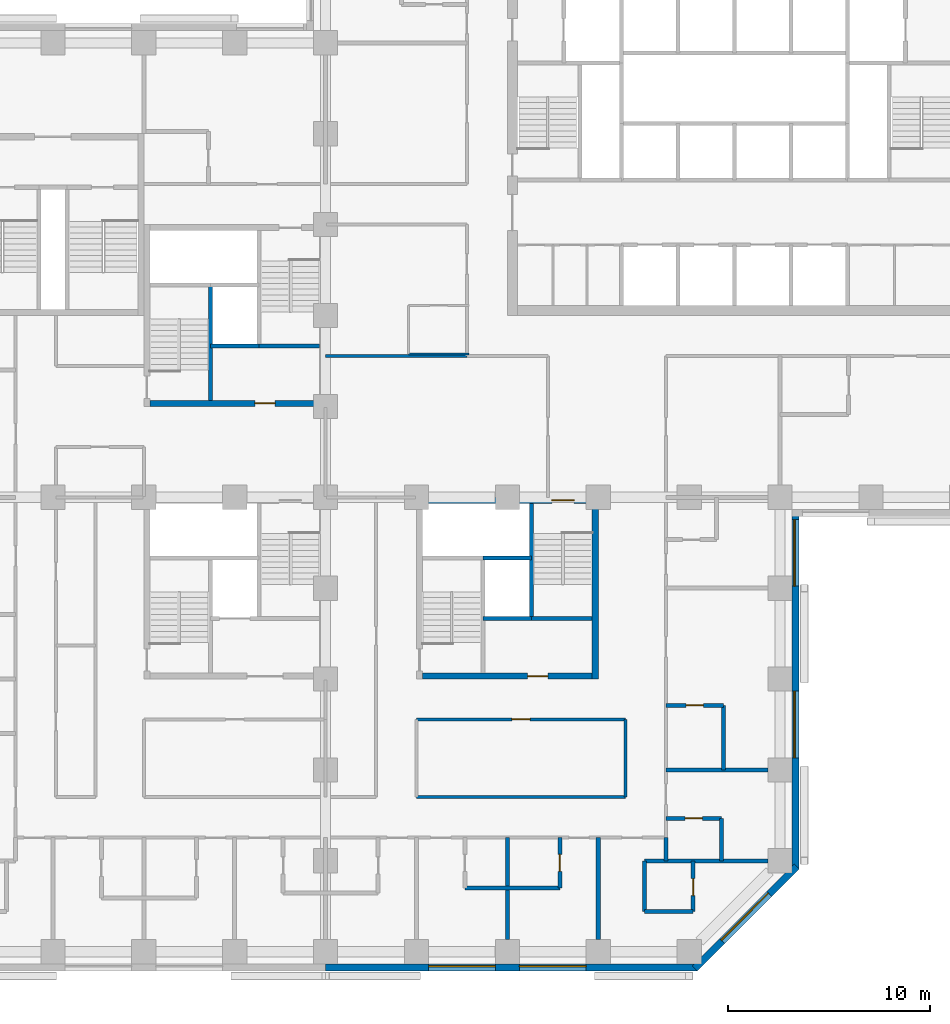
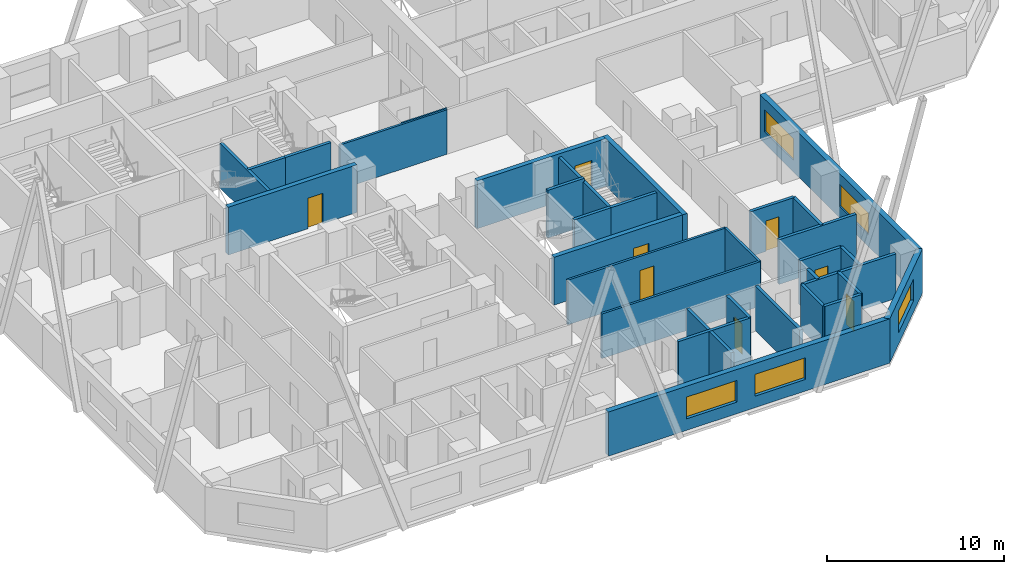
# One storey, part 5 of 13: 33 walls, 8 doors, 5 windows, 13 openings.
"""IFC4 building model written with IfcOpenShell, lengths in metres."""

from ifc_helpers import new_model, si_unit, direction, frame, frame_2d, origin, place, context, subcontext, project, spatial, rectangle, extrude, material, layer, layer_set, constituent, constituent_set, type_object, element, fill, save


model = new_model("IFC4")

# Units and contexts
model_context = context("Model", 3, precision=1e-05, world=origin(), true_north=direction((0.0, 1.0)))
body_context = subcontext(model_context, "Body", "Model", "MODEL_VIEW")
ifc_project = project(units=[si_unit("LENGTHUNIT", "METRE"), si_unit("AREAUNIT", "SQUARE_METRE"), si_unit("VOLUMEUNIT", "CUBIC_METRE"), si_unit("PLANEANGLEUNIT", "RADIAN"), si_unit("MASSUNIT", "GRAM", prefix="KILO")], contexts=[model_context])

# Site, building, storey
site_placement = place(None, origin())
site = spatial("IfcSite", under=ifc_project, at=site_placement, CompositionType="ELEMENT")
building_placement = place(site_placement, origin())
building = spatial("IfcBuilding", under=site, at=building_placement, Name="Quoin Convention Tower", CompositionType="ELEMENT")
storey_placement = place(building_placement, frame((0.0, 0.0, 52.800048828125)))
storey = spatial("IfcBuildingStorey", under=building, at=storey_placement, Name="L13", CompositionType="ELEMENT", Elevation=52.800048828125)

# Wall, openings, windows
ifc_material_1 = material(Name="Brick masonry", Category="masonry")
ifc_layer_1 = layer(ifc_material_1, 0.35009765625)
ifc_layer_set_1 = layer_set([ifc_layer_1], Name="Brick masonry")
wall_type_1 = type_object("IfcWallType", Name="Brick facade wall", PredefinedType="STANDARD", material=ifc_layer_set_1)
wall_1_placement = place(storey_placement, frame((36.0, 17.22509765625, 0.0), z_axis=(0.0, 0.0, 1.0), x_axis=(1.0, 0.0, 0.0)))
wall_1 = element("IfcWall", 1, at=wall_1_placement, inside=storey, type_object=wall_type_1, Name="fw-L13-36000_18000", PredefinedType="STANDARD", context=body_context, shape_type="SweptSolid", body=[
    extrude(rectangle(XDim=18.3935546875, YDim=0.35009765625, at=frame_2d((9.19677734375, 0.0))), origin(), (0.0, 0.0, 1.0), 3.054931640625),
])
opening_1_placement = place(wall_1_placement, frame((5.10009765625, 0.0, 0.800048828125)))
opening_1 = element("IfcOpeningElement", 2, at=opening_1_placement, cuts=wall_1, Name="Opening W-01", PredefinedType="OPENING", context=body_context, shape_type="SweptSolid", body=[
    extrude(rectangle(XDim=3.300048828125, YDim=1.5, at=frame_2d((1.64990234375, 0.75))), frame((0.0, 0.18505859375, 0.0), z_axis=(0.0, -1.0, 0.0), x_axis=(1.0, 0.0, 0.0)), (0.0, 0.0, 1.0), 0.3701171875),
])
opening_2_placement = place(wall_1_placement, frame((9.60009765625, 0.0, 0.800048828125)))
opening_2 = element("IfcOpeningElement", 3, at=opening_2_placement, cuts=wall_1, Name="Opening W-01", PredefinedType="OPENING", context=body_context, shape_type="SweptSolid", body=[
    extrude(rectangle(XDim=3.300048828125, YDim=1.5, at=frame_2d((1.64990234375, 0.75))), frame((0.0, 0.18505859375, 0.0), z_axis=(0.0, -1.0, 0.0), x_axis=(1.0, 0.0, 0.0)), (0.0, 0.0, 1.0), 0.3701171875),
])
ifc_material_2 = material(Name="Aluminium", Category="aluminium")
ifc_constituent_1 = constituent(ifc_material_2, Name="Frame")
ifc_material_3 = material(Name="Insulated glass", Category="glass")
ifc_constituent_2 = constituent(ifc_material_3, Name="Glazing")
ifc_constituent_set = constituent_set(constituents=[ifc_constituent_1, ifc_constituent_2], Name="Aluminium")
window_type = type_object("IfcWindowType", Name="Hotel strip window", PartitioningType="DOUBLE_PANEL_VERTICAL", PredefinedType="WINDOW", material=ifc_constituent_set)
window_1_placement = place(opening_1_placement, origin())
window_1 = element("IfcWindow", 4, at=window_1_placement, inside=storey, type_object=window_type, Name="win-L13-42750_17225", OverallHeight=1.5, OverallWidth=3.300048828125, PartitioningType="SINGLE_PANEL", PredefinedType="WINDOW", context=body_context, shape_type="SweptSolid", body=[
    extrude(rectangle(XDim=3.300048828125, YDim=1.5, at=frame_2d((1.64990234375, 0.75))), frame((0.0, 0.0849609375, 0.0), z_axis=(0.0, -1.0, 0.0), x_axis=(1.0, 0.0, 0.0)), (0.0, 0.0, 1.0), 0.06005859375),
])
fill(opening_1, window_1)
window_2_placement = place(opening_2_placement, origin())
window_2 = element("IfcWindow", 5, at=window_2_placement, inside=storey, type_object=window_type, Name="win-L13-47250_17225", OverallHeight=1.5, OverallWidth=3.300048828125, PartitioningType="SINGLE_PANEL", PredefinedType="WINDOW", context=body_context, shape_type="SweptSolid", body=[
    extrude(rectangle(XDim=3.300048828125, YDim=1.5, at=frame_2d((1.64990234375, 0.75))), frame((0.0, 0.0849609375, 0.0), z_axis=(0.0, -1.0, 0.0), x_axis=(1.0, 0.0, 0.0)), (0.0, 0.0, 1.0), 0.06005859375),
])
fill(opening_2, window_2)

# Wall, opening, window
wall_2_placement = place(storey_placement, frame((54.269775390625, 17.173583984375, 0.0), z_axis=(0.0, 0.0, 1.0), x_axis=(0.707106781187, 0.707106781187, 0.0)))
wall_2 = element("IfcWall", 6, at=wall_2_placement, inside=storey, type_object=wall_type_1, Name="fw-L13-54000_18000", PredefinedType="STANDARD", context=body_context, shape_type="SweptSolid", body=[
    extrude(rectangle(XDim=7.151123046875, YDim=0.35009765625, at=frame_2d((3.57568359375, 0.0))), origin(), (0.0, 0.0, 1.0), 3.054931640625),
])
opening_3_placement = place(wall_2_placement, frame((1.925537109375, 0.0, 0.800048828125)))
opening_3 = element("IfcOpeningElement", 7, at=opening_3_placement, cuts=wall_2, Name="Opening W-01", PredefinedType="OPENING", context=body_context, shape_type="SweptSolid", body=[
    extrude(rectangle(XDim=3.300048828125, YDim=1.5, at=frame_2d((1.64990234375, 0.75))), frame((0.0, 0.18505859375, 0.0), z_axis=(0.0, -1.0, 0.0), x_axis=(1.0, 0.0, 0.0)), (0.0, 0.0, 1.0), 0.3701171875),
])
window_3_placement = place(opening_3_placement, origin())
window_3 = element("IfcWindow", 8, at=window_3_placement, inside=storey, type_object=window_type, Name="win-L13-56798_19702", OverallHeight=1.5, OverallWidth=3.300048828125, PartitioningType="SINGLE_PANEL", PredefinedType="WINDOW", context=body_context, shape_type="SweptSolid", body=[
    extrude(rectangle(XDim=3.300048828125, YDim=1.5, at=frame_2d((1.64990234375, 0.75))), frame((0.0, 0.0849609375, 0.0), z_axis=(0.0, -1.0, 0.0), x_axis=(1.0, 0.0, 0.0)), (0.0, 0.0, 1.0), 0.06005859375),
])
fill(opening_3, window_3)

# Wall, openings, windows
wall_3_placement = place(storey_placement, frame((59.27490234375, 22.1064453125, 0.0), z_axis=(0.0, 0.0, 1.0), x_axis=(0.0, 1.0, 0.0)))
wall_3 = element("IfcWall", 9, at=wall_3_placement, inside=storey, type_object=wall_type_1, Name="fw-L13-58500_22500", PredefinedType="STANDARD", context=body_context, shape_type="SweptSolid", body=[
    extrude(rectangle(XDim=17.79345703125, YDim=0.35009765625, at=frame_2d((8.896728515625, 0.0))), origin(), (0.0, 0.0, 1.0), 3.054931640625),
])
opening_4_placement = place(wall_3_placement, frame((5.493408203125, 0.0, 0.800048828125)))
opening_4 = element("IfcOpeningElement", 10, at=opening_4_placement, cuts=wall_3, Name="Opening W-01", PredefinedType="OPENING", context=body_context, shape_type="SweptSolid", body=[
    extrude(rectangle(XDim=3.300048828125, YDim=1.5, at=frame_2d((1.64990234375, 0.75))), frame((0.0, 0.18505859375, 0.0), z_axis=(0.0, -1.0, 0.0), x_axis=(1.0, 0.0, 0.0)), (0.0, 0.0, 1.0), 0.3701171875),
])
opening_5_placement = place(wall_3_placement, frame((13.993408203125, 0.0, 0.800048828125)))
opening_5 = element("IfcOpeningElement", 11, at=opening_5_placement, cuts=wall_3, Name="Opening W-01", PredefinedType="OPENING", context=body_context, shape_type="SweptSolid", body=[
    extrude(rectangle(XDim=3.300048828125, YDim=1.5, at=frame_2d((1.64990234375, 0.75))), frame((0.0, 0.18505859375, 0.0), z_axis=(0.0, -1.0, 0.0), x_axis=(1.0, 0.0, 0.0)), (0.0, 0.0, 1.0), 0.3701171875),
])
window_4_placement = place(opening_4_placement, origin())
window_4 = element("IfcWindow", 12, at=window_4_placement, inside=storey, type_object=window_type, Name="win-L13-59275_29250", OverallHeight=1.5, OverallWidth=3.300048828125, PartitioningType="SINGLE_PANEL", PredefinedType="WINDOW", context=body_context, shape_type="SweptSolid", body=[
    extrude(rectangle(XDim=3.300048828125, YDim=1.5, at=frame_2d((1.64990234375, 0.75))), frame((0.0, 0.0849609375, 0.0), z_axis=(0.0, -1.0, 0.0), x_axis=(1.0, 0.0, 0.0)), (0.0, 0.0, 1.0), 0.06005859375),
])
fill(opening_4, window_4)
window_5_placement = place(opening_5_placement, origin())
window_5 = element("IfcWindow", 13, at=window_5_placement, inside=storey, type_object=window_type, Name="win-L13-59275_38250", OverallHeight=1.5, OverallWidth=3.300048828125, PartitioningType="SINGLE_PANEL", PredefinedType="WINDOW", context=body_context, shape_type="SweptSolid", body=[
    extrude(rectangle(XDim=3.300048828125, YDim=1.5, at=frame_2d((1.64990234375, 0.75))), frame((0.0, 0.0849609375, 0.0), z_axis=(0.0, -1.0, 0.0), x_axis=(1.0, 0.0, 0.0)), (0.0, 0.0, 1.0), 0.06005859375),
])
fill(opening_5, window_5)

# Walls
ifc_material_4 = material(Name="Concrete C50", Category="concrete")
ifc_layer_2 = layer(ifc_material_4, 0.199951171875)
ifc_layer_set_2 = layer_set([ifc_layer_2], Name="Concrete C50")
wall_type_2 = type_object("IfcWallType", Name="Core shaft wall", PredefinedType="SOLIDWALL", material=ifc_layer_set_2)
wall_4_placement = place(storey_placement, frame((30.300048828125, 48.0, 0.0), z_axis=(0.0, 0.0, 1.0), x_axis=(1.0, 0.0, 0.0)))
element("IfcWall", 14, at=wall_4_placement, inside=storey, type_object=wall_type_2, Name="cr-P2-L13-h3000_3300", PredefinedType="SOLIDWALL", context=body_context, shape_type="SweptSolid", body=[
    extrude(rectangle(XDim=2.39990234375, YDim=0.199951171875, at=frame_2d((1.199951171875, 0.0))), origin(), (0.0, 0.0, 1.0), 3.079833984375),
])
wall_5_placement = place(storey_placement, frame((32.699951171875, 48.0, 0.0), z_axis=(0.0, 0.0, 1.0), x_axis=(1.0, 0.0, 0.0)))
element("IfcWall", 15, at=wall_5_placement, inside=storey, type_object=wall_type_2, Name="cr-P2-L13-h3000_5700", PredefinedType="SOLIDWALL", context=body_context, shape_type="SweptSolid", body=[
    extrude(rectangle(XDim=3.0, YDim=0.199951171875, at=frame_2d((1.5, 0.0))), origin(), (0.0, 0.0, 1.0), 3.079833984375),
])
wall_6_placement = place(storey_placement, frame((30.300048828125, 45.300048828125, 0.0), z_axis=(0.0, 0.0, 1.0), x_axis=(0.0, 1.0, 0.0)))
element("IfcWall", 16, at=wall_6_placement, inside=storey, type_object=wall_type_2, Name="cr-P2-L13-v3300_300", PredefinedType="SOLIDWALL", context=body_context, shape_type="SweptSolid", body=[
    extrude(rectangle(XDim=5.699951171875, YDim=0.199951171875, at=frame_2d((2.85009765625, 0.0))), origin(), (0.0, 0.0, 1.0), 3.079833984375),
])
wall_7_placement = place(storey_placement, frame((43.800048828125, 34.5, 0.0), z_axis=(0.0, 0.0, 1.0), x_axis=(1.0, 0.0, 0.0)))
element("IfcWall", 17, at=wall_7_placement, inside=storey, type_object=wall_type_2, Name="cr-P3-L13-h3000_3300", PredefinedType="SOLIDWALL", context=body_context, shape_type="SweptSolid", body=[
    extrude(rectangle(XDim=2.39990234375, YDim=0.199951171875, at=frame_2d((1.199951171875, 0.0))), origin(), (0.0, 0.0, 1.0), 3.079833984375),
])
wall_8_placement = place(storey_placement, frame((46.199951171875, 34.5, 0.0), z_axis=(0.0, 0.0, 1.0), x_axis=(1.0, 0.0, 0.0)))
element("IfcWall", 18, at=wall_8_placement, inside=storey, type_object=wall_type_2, Name="cr-P3-L13-h3000_5700", PredefinedType="SOLIDWALL", context=body_context, shape_type="SweptSolid", body=[
    extrude(rectangle(XDim=3.0, YDim=0.199951171875, at=frame_2d((1.5, 0.0))), origin(), (0.0, 0.0, 1.0), 3.079833984375),
])
wall_9_placement = place(storey_placement, frame((46.199951171875, 34.5, 0.0), z_axis=(0.0, 0.0, 1.0), x_axis=(0.0, 1.0, 0.0)))
element("IfcWall", 19, at=wall_9_placement, inside=storey, type_object=wall_type_2, Name="cr-P3-L13-v5700_3000", PredefinedType="SOLIDWALL", context=body_context, shape_type="SweptSolid", body=[
    extrude(rectangle(XDim=5.699951171875, YDim=0.199951171875, at=frame_2d((2.85009765625, 0.0))), origin(), (0.0, 0.0, 1.0), 3.079833984375),
])
ifc_layer_3 = layer(ifc_material_4, 0.199951171875)
ifc_layer_set_3 = layer_set([ifc_layer_3], Name="Concrete C50")
wall_type_3 = type_object("IfcWallType", Name="Core shaft wall to the floor level over", PredefinedType="SOLIDWALL", material=ifc_layer_set_3)
wall_10_placement = place(storey_placement, frame((43.800048828125, 37.5, 0.0), z_axis=(0.0, 0.0, 1.0), x_axis=(1.0, 0.0, 0.0)))
element("IfcWall", 20, at=wall_10_placement, inside=storey, type_object=wall_type_3, Name="cr-P3-L13-h6000_3300", PredefinedType="SOLIDWALL", context=body_context, shape_type="SweptSolid", body=[
    extrude(rectangle(XDim=2.39990234375, YDim=0.199951171875, at=frame_2d((1.199951171875, 0.0))), origin(), (0.0, 0.0, 1.0), 3.300048828125),
])

# Wall, opening, door
ifc_material_5 = material(Name="Concrete C80", Category="concrete")
ifc_layer_4 = layer(ifc_material_5, 0.300048828125)
ifc_layer_set_4 = layer_set([ifc_layer_4], Name="Concrete C80")
wall_type_4 = type_object("IfcWallType", Name="RC CORE WALL 300 C80", PredefinedType="SHEAR", material=ifc_layer_set_4)
wall_11_placement = place(storey_placement, frame((27.300048828125, 45.14990234375, 0.0), z_axis=(0.0, 0.0, 1.0), x_axis=(1.0, 0.0, 0.0)))
wall_11 = element("IfcWall", 21, at=wall_11_placement, inside=storey, type_object=wall_type_4, Name="cwl-P2-L13-S", PredefinedType="SHEAR", context=body_context, shape_type="SweptSolid", body=[
    extrude(rectangle(XDim=8.39990234375, YDim=0.300048828125, at=frame_2d((4.199951171875, 0.0))), origin(), (0.0, 0.0, 1.0), 3.300048828125),
])
opening_6_placement = place(wall_11_placement, frame((5.199951171875, 0.0, 0.0)))
opening_6 = element("IfcOpeningElement", 22, at=opening_6_placement, cuts=wall_11, Name="Opening DCV5-51", PredefinedType="OPENING", context=body_context, shape_type="SweptSolid", body=[
    extrude(rectangle(XDim=1.0, YDim=2.10009765625, at=frame_2d((0.5, 1.050048828125))), frame((0.0, 0.159912109375, 0.0), z_axis=(0.0, -1.0, 0.0), x_axis=(1.0, 0.0, 0.0)), (0.0, 0.0, 1.0), 0.320068359375),
])
ifc_material_6 = material(Name="Steel door leaf", Category="steel")
door_type_1 = type_object("IfcDoorType", Name="Service door 1000 x 2100", OperationType="SINGLE_SWING_LEFT", PredefinedType="DOOR", material=ifc_material_6)
door_1_placement = place(opening_6_placement, origin())
door_1 = element("IfcDoor", 23, at=door_1_placement, inside=storey, type_object=door_type_1, Name="cd-P2-L13-R2-S", OperationType="SINGLE_SWING_LEFT", OverallHeight=2.10009765625, OverallWidth=1.0, PredefinedType="DOOR", context=body_context, shape_type="SweptSolid", body=[
    extrude(rectangle(XDim=1.0, YDim=2.10009765625, at=frame_2d((0.5, 1.050048828125))), frame((0.0, 0.02490234375, 0.0), z_axis=(0.0, -1.0, 0.0), x_axis=(1.0, 0.0, 0.0)), (0.0, 0.0, 1.0), 0.050048828125),
])
fill(opening_6, door_1)

wall_12_placement = place(storey_placement, frame((40.800048828125, 31.64990234375, 0.0), z_axis=(0.0, 0.0, 1.0), x_axis=(1.0, 0.0, 0.0)))
wall_12 = element("IfcWall", 24, at=wall_12_placement, inside=storey, type_object=wall_type_4, Name="cwl-P3-L13-S", PredefinedType="SHEAR", context=body_context, shape_type="SweptSolid", body=[
    extrude(rectangle(XDim=8.39990234375, YDim=0.300048828125, at=frame_2d((4.199951171875, 0.0))), origin(), (0.0, 0.0, 1.0), 3.300048828125),
])
opening_7_placement = place(wall_12_placement, frame((5.199951171875, 0.0, 0.0)))
opening_7 = element("IfcOpeningElement", 25, at=opening_7_placement, cuts=wall_12, Name="Opening DCV5-52", PredefinedType="OPENING", context=body_context, shape_type="SweptSolid", body=[
    extrude(rectangle(XDim=1.0, YDim=2.10009765625, at=frame_2d((0.5, 1.050048828125))), frame((0.0, 0.159912109375, 0.0), z_axis=(0.0, -1.0, 0.0), x_axis=(1.0, 0.0, 0.0)), (0.0, 0.0, 1.0), 0.320068359375),
])
door_2_placement = place(opening_7_placement, origin())
door_2 = element("IfcDoor", 26, at=door_2_placement, inside=storey, type_object=door_type_1, Name="cd-P3-L13-R2-S", OperationType="SINGLE_SWING_LEFT", OverallHeight=2.10009765625, OverallWidth=1.0, PredefinedType="DOOR", context=body_context, shape_type="SweptSolid", body=[
    extrude(rectangle(XDim=1.0, YDim=2.10009765625, at=frame_2d((0.5, 1.050048828125))), frame((0.0, 0.02490234375, 0.0), z_axis=(0.0, -1.0, 0.0), x_axis=(1.0, 0.0, 0.0)), (0.0, 0.0, 1.0), 0.050048828125),
])
fill(opening_7, door_2)

wall_13_placement = place(storey_placement, frame((40.800048828125, 40.35009765625, 0.0), z_axis=(0.0, 0.0, 1.0), x_axis=(1.0, 0.0, 0.0)))
wall_13 = element("IfcWall", 27, at=wall_13_placement, inside=storey, type_object=wall_type_4, Name="cwl-P3-L13-N", PredefinedType="SHEAR", context=body_context, shape_type="SweptSolid", body=[
    extrude(rectangle(XDim=8.39990234375, YDim=0.300048828125, at=frame_2d((4.199951171875, 0.0))), origin(), (0.0, 0.0, 1.0), 3.300048828125),
])
opening_8_placement = place(wall_13_placement, frame((6.39990234375, 0.0, 0.0)))
opening_8 = element("IfcOpeningElement", 28, at=opening_8_placement, cuts=wall_13, Name="Opening SD6", PredefinedType="OPENING", context=body_context, shape_type="SweptSolid", body=[
    extrude(rectangle(XDim=1.10009765625, YDim=2.10009765625, at=frame_2d((0.550048828125, 1.050048828125))), frame((0.0, 0.159912109375, 0.0), z_axis=(0.0, -1.0, 0.0), x_axis=(1.0, 0.0, 0.0)), (0.0, 0.0, 1.0), 0.320068359375),
])
door_type_2 = type_object("IfcDoorType", Name="Stair door 1100 x 2100", OperationType="SINGLE_SWING_RIGHT", PredefinedType="DOOR", material=ifc_material_6)
door_3_placement = place(opening_8_placement, frame((1.10009765625, 0.0, 0.0), z_axis=(0.0, 0.0, 1.0), x_axis=(-1.0, 0.0, 0.0)))
door_3 = element("IfcDoor", 29, at=door_3_placement, inside=storey, type_object=door_type_2, Name="cd-P3-L13-SB-N", OperationType="SINGLE_SWING_LEFT", OverallHeight=2.10009765625, OverallWidth=1.10009765625, PredefinedType="DOOR", context=body_context, shape_type="SweptSolid", body=[
    extrude(rectangle(XDim=1.10009765625, YDim=2.10009765625, at=frame_2d((0.550048828125, 1.050048828125))), frame((0.0, 0.02490234375, 0.0), z_axis=(0.0, -1.0, 0.0), x_axis=(1.0, 0.0, 0.0)), (0.0, 0.0, 1.0), 0.050048828125),
])
fill(opening_8, door_3)

# Walls
wall_14_placement = place(storey_placement, frame((49.35009765625, 31.5, 0.0), z_axis=(0.0, 0.0, 1.0), x_axis=(0.0, 1.0, 0.0)))
element("IfcWall", 30, at=wall_14_placement, inside=storey, type_object=wall_type_4, Name="cwl-P3-L13-E", PredefinedType="SHEAR", context=body_context, shape_type="SweptSolid", body=[
    extrude(rectangle(XDim=9.0, YDim=0.300048828125, at=frame_2d((4.5, 0.0))), origin(), (0.0, 0.0, 1.0), 3.300048828125),
])
ifc_layer_5 = layer(ifc_material_4, 0.199951171875)
ifc_layer_set_5 = layer_set([ifc_layer_5], Name="Concrete C50")
wall_type_5 = type_object("IfcWallType", Name="RC party wall", PredefinedType="SOLIDWALL", material=ifc_layer_set_5)
for number, where, z_axis, x_axis, name in (
    (31, (45.0, 18.60009765625, 0.0), (0.0, 0.0, 1.0), (0.0, 1.0, 0.0), "pw-L13-042"),
    (32, (49.5, 18.60009765625, 0.0), (0.0, 0.0, 1.0), (0.0, 1.0, 0.0), "pw-L13-043"),
):
    element("IfcWall", number, at=place(storey_placement, frame(where, z_axis=z_axis, x_axis=x_axis)), inside=storey, type_object=wall_type_5, Name=name, PredefinedType="SOLIDWALL", context=body_context, shape_type="SweptSolid", body=[
        extrude(rectangle(XDim=5.0498046875, YDim=0.199951171875, at=frame_2d((2.52490234375, 0.0))), origin(), (0.0, 0.0, 1.0), 3.079833984375),
    ])
wall_15_placement = place(storey_placement, frame((51.800048828125, 20.0, 0.0), z_axis=(0.0, 0.0, 1.0), x_axis=(1.0, 0.0, 0.0)))
element("IfcWall", 33, at=wall_15_placement, inside=storey, type_object=wall_type_5, Name="pw-L13-047", PredefinedType="SOLIDWALL", context=body_context, shape_type="SweptSolid", body=[
    extrude(rectangle(XDim=2.39990234375, YDim=0.199951171875, at=frame_2d((1.199951171875, 0.0))), origin(), (0.0, 0.0, 1.0), 3.079833984375),
])
wall_16_placement = place(storey_placement, frame((51.800048828125, 20.0, 0.0), z_axis=(0.0, 0.0, 1.0), x_axis=(0.0, 1.0, 0.0)))
element("IfcWall", 34, at=wall_16_placement, inside=storey, type_object=wall_type_5, Name="pw-L13-048", PredefinedType="SOLIDWALL", context=body_context, shape_type="SweptSolid", body=[
    extrude(rectangle(XDim=2.5, YDim=0.199951171875, at=frame_2d((1.25, 0.0))), origin(), (0.0, 0.0, 1.0), 3.079833984375),
])

# Wall, opening, door
wall_17_placement = place(storey_placement, frame((54.199951171875, 20.0, 0.0), z_axis=(0.0, 0.0, 1.0), x_axis=(0.0, 1.0, 0.0)))
wall_17 = element("IfcWall", 35, at=wall_17_placement, inside=storey, type_object=wall_type_5, Name="pw-L13-049", PredefinedType="SOLIDWALL", context=body_context, shape_type="SweptSolid", body=[
    extrude(rectangle(XDim=2.5, YDim=0.199951171875, at=frame_2d((1.25, 0.0))), origin(), (0.0, 0.0, 1.0), 3.079833984375),
])
opening_9_placement = place(wall_17_placement, frame((0.77490234375, 0.0, 0.0)))
opening_9 = element("IfcOpeningElement", 36, at=opening_9_placement, cuts=wall_17, Name="Opening DHOTEL-B-43", PredefinedType="OPENING", context=body_context, shape_type="SweptSolid", body=[
    extrude(rectangle(XDim=0.85009765625, YDim=2.10009765625, at=frame_2d((0.425048828125, 1.050048828125))), frame((0.0, 0.10986328125, 0.0), z_axis=(0.0, -1.0, 0.0), x_axis=(1.0, 0.0, 0.0)), (0.0, 0.0, 1.0), 0.219970703125),
])
door_type_3 = type_object("IfcDoorType", Name="Bathroom door", OperationType="SINGLE_SWING_LEFT", PredefinedType="DOOR", material=ifc_material_6)
door_4_placement = place(opening_9_placement, frame((0.85009765625, 0.0, 0.0), z_axis=(0.0, 0.0, 1.0), x_axis=(-1.0, 0.0, 0.0)))
door_4 = element("IfcDoor", 37, at=door_4_placement, inside=storey, type_object=door_type_3, Name="dr-L13-060", OperationType="SINGLE_SWING_LEFT", OverallHeight=2.10009765625, OverallWidth=0.85009765625, PredefinedType="DOOR", context=body_context, shape_type="SweptSolid", body=[
    extrude(rectangle(XDim=0.85009765625, YDim=2.10009765625, at=frame_2d((0.425048828125, 1.050048828125))), frame((0.0, 0.02490234375, 0.0), z_axis=(0.0, -1.0, 0.0), x_axis=(1.0, 0.0, 0.0)), (0.0, 0.0, 1.0), 0.050048828125),
])
fill(opening_9, door_4)

# Wall
wall_18_placement = place(storey_placement, frame((42.89990234375, 21.14990234375, 0.0), z_axis=(0.0, 0.0, 1.0), x_axis=(1.0, 0.0, 0.0)))
element("IfcWall", 38, at=wall_18_placement, inside=storey, type_object=wall_type_5, Name="pw-L13-056", PredefinedType="SOLIDWALL", context=body_context, shape_type="SweptSolid", body=[
    extrude(rectangle(XDim=4.7001953125, YDim=0.199951171875, at=frame_2d((2.35009765625, 0.0))), origin(), (0.0, 0.0, 1.0), 3.079833984375),
])

# Wall, opening, door
wall_19_placement = place(storey_placement, frame((47.60009765625, 21.14990234375, 0.0), z_axis=(0.0, 0.0, 1.0), x_axis=(0.0, 1.0, 0.0)))
wall_19 = element("IfcWall", 39, at=wall_19_placement, inside=storey, type_object=wall_type_5, Name="pw-L13-058", PredefinedType="SOLIDWALL", context=body_context, shape_type="SweptSolid", body=[
    extrude(rectangle(XDim=2.5, YDim=0.199951171875, at=frame_2d((1.25, 0.0))), origin(), (0.0, 0.0, 1.0), 3.079833984375),
])
opening_10_placement = place(wall_19_placement, frame((0.824951171875, 0.0, 0.0)))
opening_10 = element("IfcOpeningElement", 40, at=opening_10_placement, cuts=wall_19, Name="Opening DHOTEL-B-49", PredefinedType="OPENING", context=body_context, shape_type="SweptSolid", body=[
    extrude(rectangle(XDim=0.85009765625, YDim=2.10009765625, at=frame_2d((0.425048828125, 1.050048828125))), frame((0.0, 0.10986328125, 0.0), z_axis=(0.0, -1.0, 0.0), x_axis=(1.0, 0.0, 0.0)), (0.0, 0.0, 1.0), 0.219970703125),
])
door_5_placement = place(opening_10_placement, origin())
door_5 = element("IfcDoor", 41, at=door_5_placement, inside=storey, type_object=door_type_3, Name="dr-L13-012", OperationType="SINGLE_SWING_RIGHT", OverallHeight=2.10009765625, OverallWidth=0.85009765625, PredefinedType="DOOR", context=body_context, shape_type="SweptSolid", body=[
    extrude(rectangle(XDim=0.85009765625, YDim=2.10009765625, at=frame_2d((0.425048828125, 1.050048828125))), frame((0.0, 0.02490234375, 0.0), z_axis=(0.0, -1.0, 0.0), x_axis=(1.0, 0.0, 0.0)), (0.0, 0.0, 1.0), 0.050048828125),
])
fill(opening_10, door_5)

# Walls
wall_20_placement = place(storey_placement, frame((51.800048828125, 22.5, 0.0), z_axis=(0.0, 0.0, 1.0), x_axis=(1.0, 0.0, 0.0)))
element("IfcWall", 42, at=wall_20_placement, inside=storey, type_object=wall_type_5, Name="pw-L13-061", PredefinedType="SOLIDWALL", context=body_context, shape_type="SweptSolid", body=[
    extrude(rectangle(XDim=6.099853515625, YDim=0.199951171875, at=frame_2d((3.0498046875, 0.0))), origin(), (0.0, 0.0, 1.0), 3.079833984375),
])
wall_21_placement = place(storey_placement, frame((52.85009765625, 22.5, 0.0), z_axis=(0.0, 0.0, 1.0), x_axis=(0.0, 1.0, 0.0)))
element("IfcWall", 43, at=wall_21_placement, inside=storey, type_object=wall_type_5, Name="pw-L13-062", PredefinedType="SOLIDWALL", context=body_context, shape_type="SweptSolid", body=[
    extrude(rectangle(XDim=1.14990234375, YDim=0.199951171875, at=frame_2d((0.574951171875, 0.0))), origin(), (0.0, 0.0, 1.0), 3.079833984375),
])
wall_22_placement = place(storey_placement, frame((55.60009765625, 22.5, 0.0), z_axis=(0.0, 0.0, 1.0), x_axis=(0.0, 1.0, 0.0)))
element("IfcWall", 44, at=wall_22_placement, inside=storey, type_object=wall_type_5, Name="pw-L13-063", PredefinedType="SOLIDWALL", context=body_context, shape_type="SweptSolid", body=[
    extrude(rectangle(XDim=2.10009765625, YDim=0.199951171875, at=frame_2d((1.050048828125, 0.0))), origin(), (0.0, 0.0, 1.0), 3.079833984375),
])

# Wall, opening, door
wall_23_placement = place(storey_placement, frame((52.85009765625, 24.60009765625, 0.0), z_axis=(0.0, 0.0, 1.0), x_axis=(1.0, 0.0, 0.0)))
wall_23 = element("IfcWall", 45, at=wall_23_placement, inside=storey, type_object=wall_type_5, Name="pw-L13-064", PredefinedType="SOLIDWALL", context=body_context, shape_type="SweptSolid", body=[
    extrude(rectangle(XDim=2.75, YDim=0.199951171875, at=frame_2d((1.375, 0.0))), origin(), (0.0, 0.0, 1.0), 3.079833984375),
])
opening_11_placement = place(wall_23_placement, frame((0.949951171875, 0.0, 0.0)))
opening_11 = element("IfcOpeningElement", 46, at=opening_11_placement, cuts=wall_23, Name="Opening DHOTEL-B-50", PredefinedType="OPENING", context=body_context, shape_type="SweptSolid", body=[
    extrude(rectangle(XDim=0.85009765625, YDim=2.10009765625, at=frame_2d((0.425048828125, 1.050048828125))), frame((0.0, 0.10986328125, 0.0), z_axis=(0.0, -1.0, 0.0), x_axis=(1.0, 0.0, 0.0)), (0.0, 0.0, 1.0), 0.219970703125),
])
door_6_placement = place(opening_11_placement, origin())
door_6 = element("IfcDoor", 47, at=door_6_placement, inside=storey, type_object=door_type_3, Name="dr-L13-022", OperationType="SINGLE_SWING_LEFT", OverallHeight=2.10009765625, OverallWidth=0.85009765625, PredefinedType="DOOR", context=body_context, shape_type="SweptSolid", body=[
    extrude(rectangle(XDim=0.85009765625, YDim=2.10009765625, at=frame_2d((0.425048828125, 1.050048828125))), frame((0.0, 0.02490234375, 0.0), z_axis=(0.0, -1.0, 0.0), x_axis=(1.0, 0.0, 0.0)), (0.0, 0.0, 1.0), 0.050048828125),
])
fill(opening_11, door_6)

# Walls
wall_24_placement = place(storey_placement, frame((52.85009765625, 27.0, 0.0), z_axis=(0.0, 0.0, 1.0), x_axis=(1.0, 0.0, 0.0)))
element("IfcWall", 48, at=wall_24_placement, inside=storey, type_object=wall_type_5, Name="pw-L13-065", PredefinedType="SOLIDWALL", context=body_context, shape_type="SweptSolid", body=[
    extrude(rectangle(XDim=5.0498046875, YDim=0.199951171875, at=frame_2d((2.52490234375, 0.0))), origin(), (0.0, 0.0, 1.0), 3.079833984375),
])
wall_25_placement = place(storey_placement, frame((55.699951171875, 27.0, 0.0), z_axis=(0.0, 0.0, 1.0), x_axis=(0.0, 1.0, 0.0)))
element("IfcWall", 49, at=wall_25_placement, inside=storey, type_object=wall_type_5, Name="pw-L13-066", PredefinedType="SOLIDWALL", context=body_context, shape_type="SweptSolid", body=[
    extrude(rectangle(XDim=3.199951171875, YDim=0.199951171875, at=frame_2d((1.60009765625, 0.0))), origin(), (0.0, 0.0, 1.0), 3.079833984375),
])

# Wall, opening, door
wall_26_placement = place(storey_placement, frame((52.85009765625, 30.199951171875, 0.0), z_axis=(0.0, 0.0, 1.0), x_axis=(1.0, 0.0, 0.0)))
wall_26 = element("IfcWall", 50, at=wall_26_placement, inside=storey, type_object=wall_type_5, Name="pw-L13-069", PredefinedType="SOLIDWALL", context=body_context, shape_type="SweptSolid", body=[
    extrude(rectangle(XDim=2.849853515625, YDim=0.199951171875, at=frame_2d((1.4248046875, 0.0))), origin(), (0.0, 0.0, 1.0), 3.079833984375),
])
opening_12_placement = place(wall_26_placement, frame((1.0, 0.0, 0.0)))
opening_12 = element("IfcOpeningElement", 51, at=opening_12_placement, cuts=wall_26, Name="Opening DHOTEL-B-52", PredefinedType="OPENING", context=body_context, shape_type="SweptSolid", body=[
    extrude(rectangle(XDim=0.85009765625, YDim=2.10009765625, at=frame_2d((0.425048828125, 1.050048828125))), frame((0.0, 0.10986328125, 0.0), z_axis=(0.0, -1.0, 0.0), x_axis=(1.0, 0.0, 0.0)), (0.0, 0.0, 1.0), 0.219970703125),
])
door_7_placement = place(opening_12_placement, origin())
door_7 = element("IfcDoor", 52, at=door_7_placement, inside=storey, type_object=door_type_3, Name="dr-L13-024", OperationType="SINGLE_SWING_LEFT", OverallHeight=2.10009765625, OverallWidth=0.85009765625, PredefinedType="DOOR", context=body_context, shape_type="SweptSolid", body=[
    extrude(rectangle(XDim=0.85009765625, YDim=2.10009765625, at=frame_2d((0.425048828125, 1.050048828125))), frame((0.0, 0.02490234375, 0.0), z_axis=(0.0, -1.0, 0.0), x_axis=(1.0, 0.0, 0.0)), (0.0, 0.0, 1.0), 0.050048828125),
])
fill(opening_12, door_7)

# Walls
ifc_material_7 = material(Name="Plasterboard")
ifc_layer_6 = layer(ifc_material_7, 0.012451171875, Name="Finish")
ifc_material_8 = material(Name="Steel stud framing", Category="steel")
ifc_layer_7 = layer(ifc_material_8, 0.074951171875, Name="Structure")
ifc_layer_8 = layer(ifc_material_7, 0.012451171875, Name="Finish")
ifc_layer_set_6 = layer_set([ifc_layer_6, ifc_layer_7, ifc_layer_8], Name="Steel stud framing")
wall_type_6 = type_object("IfcWallType", Name="bathroom partition", PredefinedType="PARTITIONING", material=ifc_layer_set_6)
wall_27_placement = place(storey_placement, frame((40.10009765625, 47.60009765625, 0.0), z_axis=(0.0, 0.0, 1.0), x_axis=(1.0, 0.0, 0.0)))
element("IfcWall", 53, at=wall_27_placement, inside=storey, type_object=wall_type_6, Name="pw-L13-w03", PredefinedType="PARTITIONING", context=body_context, shape_type="SweptSolid", body=[
    extrude(rectangle(XDim=3.0, YDim=0.10009765625, at=frame_2d((1.5, 0.0))), origin(), (0.0, 0.0, 1.0), 3.079833984375),
])
ifc_layer_9 = layer(ifc_material_7, 0.012451171875, Name="Finish")
ifc_layer_10 = layer(ifc_material_8, 0.125, Name="Structure")
ifc_layer_11 = layer(ifc_material_7, 0.012451171875, Name="Finish")
ifc_layer_set_7 = layer_set([ifc_layer_9, ifc_layer_10, ifc_layer_11], Name="Steel stud framing")
wall_type_7 = type_object("IfcWallType", Name="corridor partition", PredefinedType="PARTITIONING", material=ifc_layer_set_7)
wall_28_placement = place(storey_placement, frame((40.5, 25.64990234375, 0.0), z_axis=(0.0, 0.0, 1.0), x_axis=(1.0, 0.0, 0.0)))
element("IfcWall", 54, at=wall_28_placement, inside=storey, type_object=wall_type_7, Name="pw-L13-014", PredefinedType="PARTITIONING", context=body_context, shape_type="SweptSolid", body=[
    extrude(rectangle(XDim=10.35009765625, YDim=0.14990234375, at=frame_2d((5.175048828125, 0.0))), origin(), (0.0, 0.0, 1.0), 3.079833984375),
])
wall_29_placement = place(storey_placement, frame((50.85009765625, 25.64990234375, 0.0), z_axis=(0.0, 0.0, 1.0), x_axis=(0.0, 1.0, 0.0)))
element("IfcWall", 55, at=wall_29_placement, inside=storey, type_object=wall_type_7, Name="pw-L13-016", PredefinedType="PARTITIONING", context=body_context, shape_type="SweptSolid", body=[
    extrude(rectangle(XDim=3.85009765625, YDim=0.14990234375, at=frame_2d((1.925048828125, 0.0))), origin(), (0.0, 0.0, 1.0), 3.079833984375),
])

# Wall, opening, door
wall_30_placement = place(storey_placement, frame((40.5, 29.5, 0.0), z_axis=(0.0, 0.0, 1.0), x_axis=(1.0, 0.0, 0.0)))
wall_30 = element("IfcWall", 56, at=wall_30_placement, inside=storey, type_object=wall_type_7, Name="pw-L13-019", PredefinedType="PARTITIONING", context=body_context, shape_type="SweptSolid", body=[
    extrude(rectangle(XDim=10.35009765625, YDim=0.14990234375, at=frame_2d((5.175048828125, 0.0))), origin(), (0.0, 0.0, 1.0), 3.079833984375),
])
opening_13_placement = place(wall_30_placement, frame((4.72509765625, 0.0, 0.0)))
opening_13 = element("IfcOpeningElement", 57, at=opening_13_placement, cuts=wall_30, Name="Opening DHOTEL-B-20", PredefinedType="OPENING", context=body_context, shape_type="SweptSolid", body=[
    extrude(rectangle(XDim=0.89990234375, YDim=2.10009765625, at=frame_2d((0.449951171875, 1.050048828125))), frame((0.0, 0.0849609375, 0.0), z_axis=(0.0, -1.0, 0.0), x_axis=(1.0, 0.0, 0.0)), (0.0, 0.0, 1.0), 0.169921875),
])
door_type_4 = type_object("IfcDoorType", Name="Single room door", OperationType="SINGLE_SWING_RIGHT", PredefinedType="DOOR", material=ifc_material_6)
door_8_placement = place(opening_13_placement, frame((0.89990234375, 0.0, 0.0), z_axis=(0.0, 0.0, 1.0), x_axis=(-1.0, 0.0, 0.0)))
door_8 = element("IfcDoor", 58, at=door_8_placement, inside=storey, type_object=door_type_4, Name="dr-L13-072", OperationType="SINGLE_SWING_LEFT", OverallHeight=2.10009765625, OverallWidth=0.89990234375, PredefinedType="DOOR", context=body_context, shape_type="SweptSolid", body=[
    extrude(rectangle(XDim=0.89990234375, YDim=2.10009765625, at=frame_2d((0.449951171875, 1.050048828125))), frame((0.0, 0.02490234375, 0.0), z_axis=(0.0, -1.0, 0.0), x_axis=(1.0, 0.0, 0.0)), (0.0, 0.0, 1.0), 0.050048828125),
])
fill(opening_13, door_8)

# Wall
ifc_layer_12 = layer(ifc_material_7, 0.012451171875, Name="Finish")
ifc_layer_13 = layer(ifc_material_8, 0.125, Name="Structure")
ifc_layer_14 = layer(ifc_material_7, 0.012451171875, Name="Finish")
ifc_layer_set_8 = layer_set([ifc_layer_12, ifc_layer_13, ifc_layer_14], Name="Steel stud framing")
wall_type_8 = type_object("IfcWallType", Name="room partition", PredefinedType="PARTITIONING", material=ifc_layer_set_8)
wall_31_placement = place(storey_placement, frame((36.0, 47.5, 0.0), z_axis=(0.0, 0.0, 1.0), x_axis=(1.0, 0.0, 0.0)))
element("IfcWall", 59, at=wall_31_placement, inside=storey, type_object=wall_type_8, Name="pw-L13-154", PredefinedType="PARTITIONING", context=body_context, shape_type="SweptSolid", body=[
    extrude(rectangle(XDim=7.0, YDim=0.14990234375, at=frame_2d((3.5, 0.0))), origin(), (0.0, 0.0, 1.0), 3.079833984375),
])

save(model, "model.ifc")
